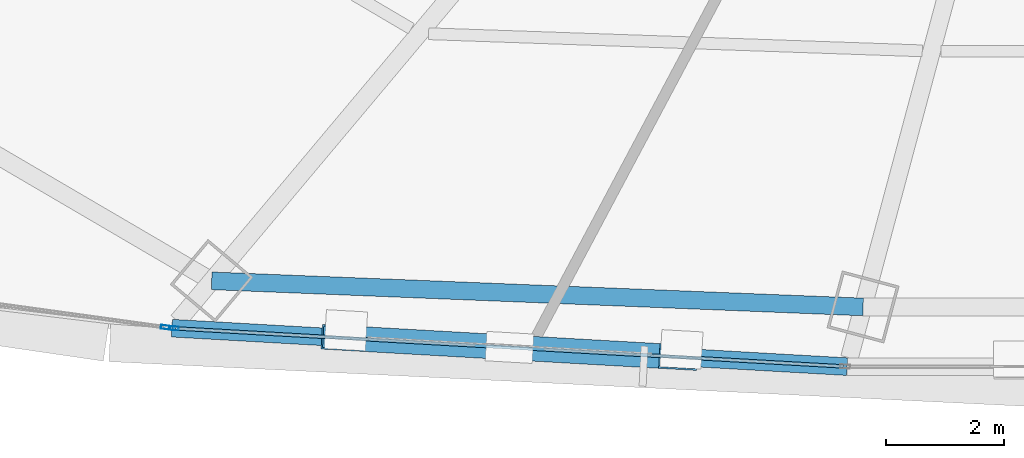
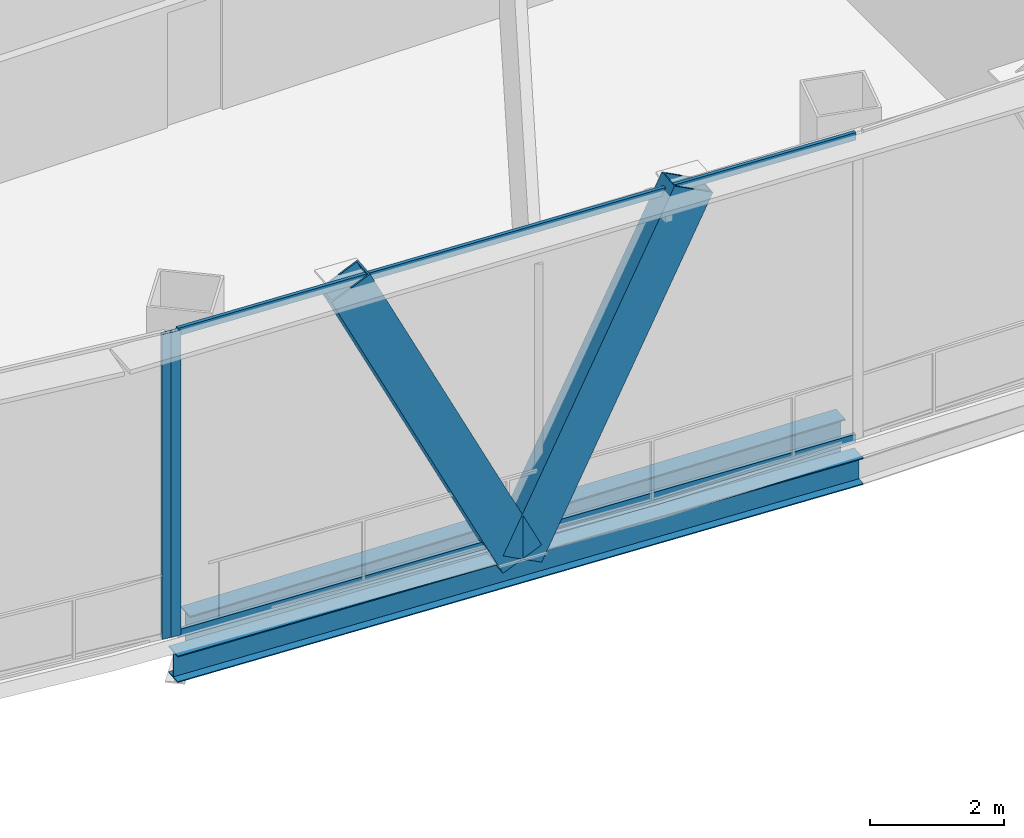
# One storey, part 5 of 36: 6 members, 2 beams, 2 elements without a shape of their own.
"""IFC4 building model written with IfcOpenShell, lengths in metres."""

import ifcopenshell
import ifcopenshell.guid

model = None  # the IFC model being written
_history = None  # IfcOwnerHistory: only IFC2X3 demands one
_inside = {}  # id of a spatial element -> (the spatial element, [elements in it])
_under = {}  # id of a project, library or spatial element -> (it, [spatial elements below it])
_declared = {}  # id of a project -> (the project, [libraries it declares])
_typed = {}  # id of a type object -> (the type object, [elements of that type])
_made_of = {}  # id of a material, layer set ... -> (it, [elements and type objects made of it])


def new_model(schema):
    """Start an empty IFC model of exactly this schema.

    Asked for "IFC4X3", IfcOpenShell would pick the latest addendum, in which some entities
    have other attributes; the version numbers below select the first issue.
    IFC2X3 requires an IfcOwnerHistory on every rooted entity: one is made here for all.
    """
    global model, _history
    if schema == "IFC4X3":
        model = ifcopenshell.file(schema_version=(4, 3, 0, 0))
    else:
        model = ifcopenshell.file(schema=schema)
    _inside.clear()
    _under.clear()
    _declared.clear()
    _typed.clear()
    _made_of.clear()
    _history = None
    if model.schema == "IFC2X3":
        org = make("IfcOrganization", Name="unknown")
        user = make(
            "IfcPersonAndOrganization",
            ThePerson=make("IfcPerson", FamilyName="unknown"),
            TheOrganization=org,
        )
        app = make(
            "IfcApplication",
            ApplicationDeveloper=org,
            Version="unknown",
            ApplicationFullName="unknown",
            ApplicationIdentifier="unknown",
        )
        _history = make(
            "IfcOwnerHistory",
            OwningUser=user,
            OwningApplication=app,
            ChangeAction="ADDED",
            CreationDate=0,
        )
    return model


def make(cls, **values):
    """One entity of the class cls with the attributes given. An attribute that is None is left unset."""
    return model.create_entity(
        cls, **{name: value for name, value in values.items() if value is not None}
    )


def rooted(cls, **values):
    """An entity with a GlobalId (a new one), such as an element, a storey or a relation."""
    return make(cls, GlobalId=ifcopenshell.guid.new(), OwnerHistory=_history, **values)


def si_unit(unit_type, name, prefix=None):
    """IfcSIUnit, for example si_unit("LENGTHUNIT", "METRE", prefix="MILLI")."""
    return make("IfcSIUnit", UnitType=unit_type, Prefix=prefix, Name=name)


def assignment(units):
    """IfcUnitAssignment: the units of a project."""
    return None if units is None else make("IfcUnitAssignment", Units=units)


def point(xyz):
    """IfcCartesianPoint."""
    return None if xyz is None else make("IfcCartesianPoint", Coordinates=xyz)


def direction(xyz):
    """IfcDirection."""
    return None if xyz is None else make("IfcDirection", DirectionRatios=xyz)


def frame(location, z_axis=None, x_axis=None):
    """IfcAxis2Placement3D, a coordinate frame: its origin and axes. An axis left out is left unset."""
    return make(
        "IfcAxis2Placement3D",
        Location=point(location),
        Axis=direction(z_axis),
        RefDirection=direction(x_axis),
    )


def frame_2d(location, x_axis=None):
    """IfcAxis2Placement2D, a coordinate frame in the plane: its origin and x axis."""
    return make(
        "IfcAxis2Placement2D", Location=point(location), RefDirection=direction(x_axis)
    )


def origin():
    """The frame at (0, 0, 0) with its axes left unset."""
    return frame((0.0, 0.0, 0.0))


def origin_2d():
    """The frame at (0, 0) in the plane with its x axis left unset."""
    return frame_2d((0.0, 0.0))


def place(relative_to, where):
    """IfcLocalPlacement: puts the frame where relative to a parent placement (None: the world)."""
    return make(
        "IfcLocalPlacement", PlacementRelTo=relative_to, RelativePlacement=where
    )


def context(
    kind, dimensions, precision=None, world=None, true_north=None, identifier=None
):
    """IfcGeometricRepresentationContext, for example the 3D "Model" context."""
    return make(
        "IfcGeometricRepresentationContext",
        ContextIdentifier=identifier,
        ContextType=kind,
        CoordinateSpaceDimension=dimensions,
        Precision=precision,
        WorldCoordinateSystem=world,
        TrueNorth=true_north,
    )


def subcontext(parent, identifier, kind, view, scale=None):
    """IfcGeometricRepresentationSubContext, for example "Body" below "Model"."""
    return make(
        "IfcGeometricRepresentationSubContext",
        ContextIdentifier=identifier,
        ContextType=kind,
        ParentContext=parent,
        TargetScale=scale,
        TargetView=view,
    )


def project(units=None, contexts=None):
    """IfcProject with its units and contexts."""
    return rooted(
        "IfcProject",
        Name="project",
        RepresentationContexts=contexts,
        UnitsInContext=assignment(units),
    )


def spatial(cls, under=None, at=None, **own):
    """A site, building, storey or space (cls), placed at a placement, below another one or the project."""
    s = rooted(cls, ObjectPlacement=at, **own)
    if under is not None:
        _under.setdefault(under.id(), (under, []))[1].append(s)
    return s


def profile(cls, at=None, kind="AREA", **sizes):
    """A parametric profile (cls). Its sizes go by their IFC names, for example OverallWidth=200.0."""
    return make(cls, ProfileType=kind, Position=at, **sizes)


def hollow_rectangle(**sizes):
    """IfcRectangleHollowProfileDef."""
    return profile("IfcRectangleHollowProfileDef", **sizes)


def i_section(**sizes):
    """IfcIShapeProfileDef."""
    return profile("IfcIShapeProfileDef", **sizes)


def extrude(swept, where, along, depth):
    """IfcExtrudedAreaSolid: the profile swept, set in the frame where, extruded along a direction by depth."""
    return make(
        "IfcExtrudedAreaSolid",
        SweptArea=swept,
        Position=where,
        ExtrudedDirection=direction(along),
        Depth=depth,
    )


def shape(context_of_items, identifier, shape_type, items):
    """IfcShapeRepresentation: the items that make up one representation, for example the "Body"."""
    return make(
        "IfcShapeRepresentation",
        ContextOfItems=context_of_items,
        RepresentationIdentifier=identifier,
        RepresentationType=shape_type,
        Items=items,
    )


def source(mapping_origin, context_of_items, identifier, shape_type, items):
    """IfcRepresentationMap: a shape defined once, which mapped items show again and again."""
    return make(
        "IfcRepresentationMap",
        MappingOrigin=mapping_origin,
        MappedRepresentation=shape(context_of_items, identifier, shape_type, items),
    )


def transform(
    local_origin,
    x_axis=None,
    y_axis=None,
    z_axis=None,
    scale=None,
    scale2=None,
    scale3=None,
    uniform=True,
):
    """IfcCartesianTransformationOperator3D, or its non-uniform kind. x_axis, y_axis, z_axis: its Axis1, 2, 3."""
    if uniform:
        return make(
            "IfcCartesianTransformationOperator3D",
            Axis1=direction(x_axis),
            Axis2=direction(y_axis),
            LocalOrigin=point(local_origin),
            Scale=scale,
            Axis3=direction(z_axis),
        )
    return make(
        "IfcCartesianTransformationOperator3DnonUniform",
        Axis1=direction(x_axis),
        Axis2=direction(y_axis),
        LocalOrigin=point(local_origin),
        Scale=scale,
        Axis3=direction(z_axis),
        Scale2=scale2,
        Scale3=scale3,
    )


def mapped(mapping_source, mapping_target):
    """IfcMappedItem: shows the shape of a source again, moved by a transform."""
    return make(
        "IfcMappedItem", MappingSource=mapping_source, MappingTarget=mapping_target
    )


def material(Name=None, Category=None):
    """IfcMaterial."""
    return make("IfcMaterial", Name=Name, Category=Category)


def layer(
    of_material, thickness, ventilated=None, Name=None, Category=None, Priority=None
):
    """IfcMaterialLayer: one layer of a wall or slab, of a material (None: an air gap)."""
    return make(
        "IfcMaterialLayer",
        Material=of_material,
        LayerThickness=thickness,
        IsVentilated=ventilated,
        Name=Name,
        Category=Category,
        Priority=Priority,
    )


def layer_set(layers, Name=None):
    """IfcMaterialLayerSet."""
    return make("IfcMaterialLayerSet", MaterialLayers=layers, LayerSetName=Name)


def material_profile(
    of_material, cross_section, Name=None, Category=None, Priority=None
):
    """IfcMaterialProfile: a cross section and its material."""
    return make(
        "IfcMaterialProfile",
        Name=Name,
        Material=of_material,
        Profile=cross_section,
        Priority=Priority,
        Category=Category,
    )


def profile_set(profiles, Name=None, composite=None):
    """IfcMaterialProfileSet."""
    return make(
        "IfcMaterialProfileSet",
        Name=Name,
        MaterialProfiles=profiles,
        CompositeProfile=composite,
    )


def made_of(thing, what):
    """Note that an element or type object is made of a material, layer set ...; save() writes the relation."""
    if what is not None:
        _made_of.setdefault(what.id(), (what, []))[1].append(thing)
    return thing


def type_object(cls, material=None, **own):
    """A type object (cls), such as IfcWallType, which elements share."""
    return made_of(rooted(cls, **own), material)


def element(
    cls,
    number,
    at=None,
    inside=None,
    cuts=None,
    type_object=None,
    material=None,
    context=None,
    identifier="Body",
    shape_type=None,
    held_by="IfcProductDefinitionShape",
    body=None,
    shapes=None,
    **own,
):
    """One element of the class cls, such as IfcWall. Its Tag is "e" and its number.

    at: its placement. inside: the storey or other place that contains it. cuts: it is an
    opening in that element (IfcRelVoidsElement). A single representation is given by context,
    identifier, shape_type and body (its items); several are given by shapes. held_by: the class
    of the entity that holds the representations. save() writes the other relations.
    """
    e = rooted(cls, Tag="e%d" % number, ObjectPlacement=at, **own)
    if body is not None:
        shapes = [shape(context, identifier, shape_type, body)]
    if shapes is not None:
        e.Representation = make(held_by, Representations=shapes)
    if inside is not None:
        _inside.setdefault(inside.id(), (inside, []))[1].append(e)
    if cuts is not None:
        rooted(
            "IfcRelVoidsElement", RelatingBuildingElement=cuts, RelatedOpeningElement=e
        )
    if type_object is not None:
        _typed.setdefault(type_object.id(), (type_object, []))[1].append(e)
    return made_of(e, material)


def aggregate(whole, parts):
    """IfcRelAggregates: a whole, such as a stair, and the parts it consists of."""
    return rooted("IfcRelAggregates", RelatingObject=whole, RelatedObjects=parts)


def save(model, path):
    """Write the relations noted so far, then the file.

    IfcRelAggregates (storeys below a building ...), IfcRelContainedInSpatialStructure (elements
    in a storey), IfcRelDefinesByType, IfcRelAssociatesMaterial and IfcRelDeclares: one each for
    every whole, place, type object, material and project.
    """
    for whole, parts in _under.values():
        aggregate(whole, parts)
    for where, things in _inside.values():
        rooted(
            "IfcRelContainedInSpatialStructure",
            RelatedElements=things,
            RelatingStructure=where,
        )
    for kind, things in _typed.values():
        rooted("IfcRelDefinesByType", RelatedObjects=things, RelatingType=kind)
    for what, things in _made_of.values():
        rooted("IfcRelAssociatesMaterial", RelatedObjects=things, RelatingMaterial=what)
    for by, libraries in _declared.values():
        rooted("IfcRelDeclares", RelatingContext=by, RelatedDefinitions=libraries)
    model.write(path)


model = new_model("IFC4")

# Units and contexts
model_context = context("Model", 3, precision=1e-05, world=origin(), true_north=direction((0.0, 1.0)))
body_context = subcontext(model_context, "Body", "Model", "MODEL_VIEW")
ifc_project = project(units=[si_unit("LENGTHUNIT", "METRE"), si_unit("AREAUNIT", "SQUARE_METRE"), si_unit("VOLUMEUNIT", "CUBIC_METRE"), si_unit("PLANEANGLEUNIT", "RADIAN"), si_unit("MASSUNIT", "GRAM", prefix="KILO"), si_unit("THERMODYNAMICTEMPERATUREUNIT", "KELVIN"), si_unit("POWERUNIT", "WATT")], contexts=[model_context])

# Site, building, storey
site_placement = place(None, origin())
site = spatial("IfcSite", under=ifc_project, at=site_placement, CompositionType="ELEMENT")
building_placement = place(site_placement, origin())
building = spatial("IfcBuilding", under=site, at=building_placement, Name="Yunzhuo Pagoda Commons", CompositionType="ELEMENT")
storey_placement = place(building_placement, frame((0.0, 0.0, 119.179931640625)))
storey = spatial("IfcBuildingStorey", under=building, at=storey_placement, Name="L30", CompositionType="ELEMENT", Elevation=119.179931640625)

# Beams
ifc_material_1 = material(Name="Structural steel Q355B", Category="steel")
ifc_material_profile_1 = material_profile(ifc_material_1, i_section(OverallWidth=0.300048828125, OverallDepth=0.699951171875, WebThickness=0.012939453125, FlangeThickness=0.02392578125, at=origin_2d()), Name="Structural steel Q355B")
ifc_profile_set_1 = profile_set([ifc_material_profile_1], Name="Structural steel Q355B")
beam_type_1 = type_object("IfcBeamType", Name="B-RG1 Beam HN 700x300x13x24", PredefinedType="BEAM", material=ifc_profile_set_1)
shared_shape_1 = source(origin(), body_context, "Body", "SweptSolid", [
    extrude(i_section(OverallWidth=0.300048828125, OverallDepth=0.699951171875, WebThickness=0.012939453125, FlangeThickness=0.02392578125, at=origin_2d()), origin(), (0.0, 0.0, 1.0), 11.077392578125),
])
beam_1_placement = place(storey_placement, frame((31.56396484375, 14.1123046875, -0.6298828125), z_axis=(0.999196975427, -0.040067496776, 0.0), x_axis=(0.040067496776, 0.999196975427, 0.0)))
element("IfcBeam", 1, at=beam_1_placement, inside=storey, type_object=beam_type_1, Name="L30 column-ring beam 1", PredefinedType="BEAM", context=body_context, shape_type="MappedRepresentation", body=[
    mapped(shared_shape_1, transform((0.0, 0.0, 0.0), scale=1.0)),
])
ifc_material_profile_2 = material_profile(ifc_material_1, i_section(OverallWidth=0.300048828125, OverallDepth=0.488037109375, WebThickness=0.010986328125, FlangeThickness=0.01806640625, at=origin_2d()), Name="Structural steel Q355B")
ifc_profile_set_2 = profile_set([ifc_material_profile_2], Name="Structural steel Q355B")
beam_type_2 = type_object("IfcBeamType", Name="B-SP1 Beam HM 488x300x11x18", PredefinedType="BEAM", material=ifc_profile_set_2)
shared_shape_2 = source(origin(), body_context, "Body", "SweptSolid", [
    extrude(i_section(OverallWidth=0.300048828125, OverallDepth=0.488037109375, WebThickness=0.010986328125, FlangeThickness=0.01806640625, at=origin_2d()), origin(), (0.0, 0.0, 1.0), 11.490478515625),
])
beam_2_placement = place(storey_placement, frame((30.888916015625, 13.307861328125, -0.52392578125), z_axis=(0.998381104826, -0.056878550674, 0.0), x_axis=(0.056878550674, 0.998381104826, 0.0)))
element("IfcBeam", 2, at=beam_2_placement, inside=storey, type_object=beam_type_2, Name="L30 facade edge spandrel beam F1.1", PredefinedType="BEAM", context=body_context, shape_type="MappedRepresentation", body=[
    mapped(shared_shape_2, transform((0.0, 0.0, 0.0), scale=1.0)),
])

# Members
ifc_material_2 = material(Name="Structural steel Q420B", Category="steel")
ifc_material_profile_3 = material_profile(ifc_material_2, hollow_rectangle(XDim=0.419921875, YDim=0.719970703125, WallThickness=0.028076171875, at=origin_2d()), Name="Structural steel Q420B")
ifc_profile_set_3 = profile_set([ifc_material_profile_3], Name="Structural steel Q420B")
member_type_1 = type_object("IfcMemberType", Name="M-DL1 Brace BOX 720x420x28", PredefinedType="BRACE", material=ifc_profile_set_3)
shared_shape_3 = source(origin(), body_context, "Body", "SweptSolid", [
    extrude(hollow_rectangle(XDim=0.419921875, YDim=0.719970703125, WallThickness=0.028076171875, at=origin_2d()), origin(), (0.0, 0.0, 1.0), 6.517333984375),
])
for number, where, z_axis, x_axis, name in (
    (3, (36.625, 12.98095703125, -0.280029296875), (-0.440076600453, 0.025098001558, 0.897609422885), (-0.056938462052, -0.998377689824, 0.0), "L30 facade diamond brace F1.1L"),
    (4, (36.625, 12.98095703125, -0.280029296875), (0.440046808147, -0.025060978518, 0.89762506315), (0.056858578378, 0.998382242463, 0.0), "L30 facade diamond brace F1.1R"),
):
    element("IfcMember", number, at=place(storey_placement, frame(where, z_axis=z_axis, x_axis=x_axis)), inside=storey, type_object=member_type_1, Name=name, PredefinedType="BRACE", context=body_context, shape_type="MappedRepresentation", body=[
        mapped(shared_shape_3, transform((0.0, 0.0, 0.0), scale=1.0)),
    ])

# Curtain wall, member
ifc_material_3 = material(Name="Anodized aluminium 6063-T6", Category="aluminium")
ifc_layer = layer(ifc_material_3, 0.1650390625)
ifc_layer_set = layer_set([ifc_layer], Name="Anodized aluminium 6063-T6")
curtain_wall_type = type_object("IfcCurtainWallType", Name="CW-LOW Low-Zone Ribbon Curtain Wall", PredefinedType="NOTDEFINED", material=ifc_layer_set)
curtain_wall_1_placement = place(storey_placement, origin())
curtain_wall_1 = element("IfcCurtainWall", 5, at=curtain_wall_1_placement, inside=storey, type_object=curtain_wall_type, Name="L30 curtain wall CW-L30-F1B2", PredefinedType="NOTDEFINED")
ifc_material_profile_4 = material_profile(ifc_material_3, hollow_rectangle(XDim=0.06494140625, YDim=0.1650390625, WallThickness=0.00390625, at=origin_2d()), Name="Anodized aluminium 6063-T6")
ifc_profile_set_4 = profile_set([ifc_material_profile_4], Name="Anodized aluminium 6063-T6")
member_type_2 = type_object("IfcMemberType", Name="CW-LOW-M Mullion RHS 165x65x4", PredefinedType="MULLION", material=ifc_profile_set_4)
shared_shape_4 = source(origin(), body_context, "Body", "SweptSolid", [
    extrude(hollow_rectangle(XDim=0.06494140625, YDim=0.1650390625, WallThickness=0.00390625, at=origin_2d()), origin(), (0.0, 0.0, 1.0), 5.570068359375),
])
member_1_placement = place(storey_placement, frame((30.92138671875, 13.30615234375, 0.0), z_axis=(0.0, 0.0, 1.0), x_axis=(0.056890920994, 0.998380400002, 0.0)))
member_1 = element("IfcMember", 6, at=member_1_placement, type_object=member_type_2, Name="CW mullion 1", PredefinedType="MULLION", context=body_context, shape_type="MappedRepresentation", body=[
    mapped(shared_shape_4, transform((0.0, 0.0, 0.0), scale=1.0)),
])

curtain_wall_2_placement = place(storey_placement, origin())
curtain_wall_2 = element("IfcCurtainWall", 7, at=curtain_wall_2_placement, inside=storey, type_object=curtain_wall_type, Name="L30 curtain wall CW-L30-F1B1", PredefinedType="NOTDEFINED")
member_2_placement = place(storey_placement, frame((30.782470703125, 13.322509765625, 0.0), z_axis=(0.0, 0.0, 1.0), x_axis=(0.13665715321, 0.990618404067, 0.0)))
member_2 = element("IfcMember", 8, at=member_2_placement, type_object=member_type_2, Name="CW mullion 2", PredefinedType="MULLION", context=body_context, shape_type="MappedRepresentation", body=[
    mapped(shared_shape_4, transform((0.0, 0.0, 0.0), scale=1.0)),
])
aggregate(curtain_wall_2, [member_2])

# Member
ifc_material_profile_5 = material_profile(ifc_material_3, hollow_rectangle(XDim=0.06005859375, YDim=0.139892578125, WallThickness=0.00341796875, at=origin_2d()), Name="Anodized aluminium 6063-T6")
ifc_profile_set_5 = profile_set([ifc_material_profile_5], Name="Anodized aluminium 6063-T6")
member_type_3 = type_object("IfcMemberType", Name="CW-LOW-T Transom RHS 140x60x3.5", PredefinedType="USERDEFINED", material=ifc_profile_set_5)
shared_shape_5 = source(origin(), body_context, "Body", "SweptSolid", [
    extrude(hollow_rectangle(XDim=0.06005859375, YDim=0.139892578125, WallThickness=0.00341796875, at=origin_2d()), origin(), (0.0, 0.0, 1.0), 11.3603515625),
])
member_3_placement = place(storey_placement, frame((30.953857421875, 13.30419921875, 0.030029296875), z_axis=(0.998380728376, -0.05688515806, 0.0), x_axis=(0.05688515806, 0.998380728376, 0.0)))
member_3 = element("IfcMember", 9, at=member_3_placement, type_object=member_type_3, Name="CW transom 1.1", ObjectType="TRANSOM", PredefinedType="USERDEFINED", context=body_context, shape_type="MappedRepresentation", body=[
    mapped(shared_shape_5, transform((0.0, 0.0, 0.0), scale=1.0)),
])

member_4_placement = place(storey_placement, frame((30.953857421875, 13.30419921875, 5.5400390625), z_axis=(0.998380728376, -0.05688515806, 0.0), x_axis=(0.05688515806, 0.998380728376, 0.0)))
member_4 = element("IfcMember", 10, at=member_4_placement, type_object=member_type_3, Name="CW transom 1.2", ObjectType="TRANSOM", PredefinedType="USERDEFINED", context=body_context, shape_type="MappedRepresentation", body=[
    mapped(shared_shape_5, transform((0.0, 0.0, 0.0), scale=1.0)),
])

aggregate(curtain_wall_1, [member_1, member_3, member_4])

save(model, "model.ifc")
